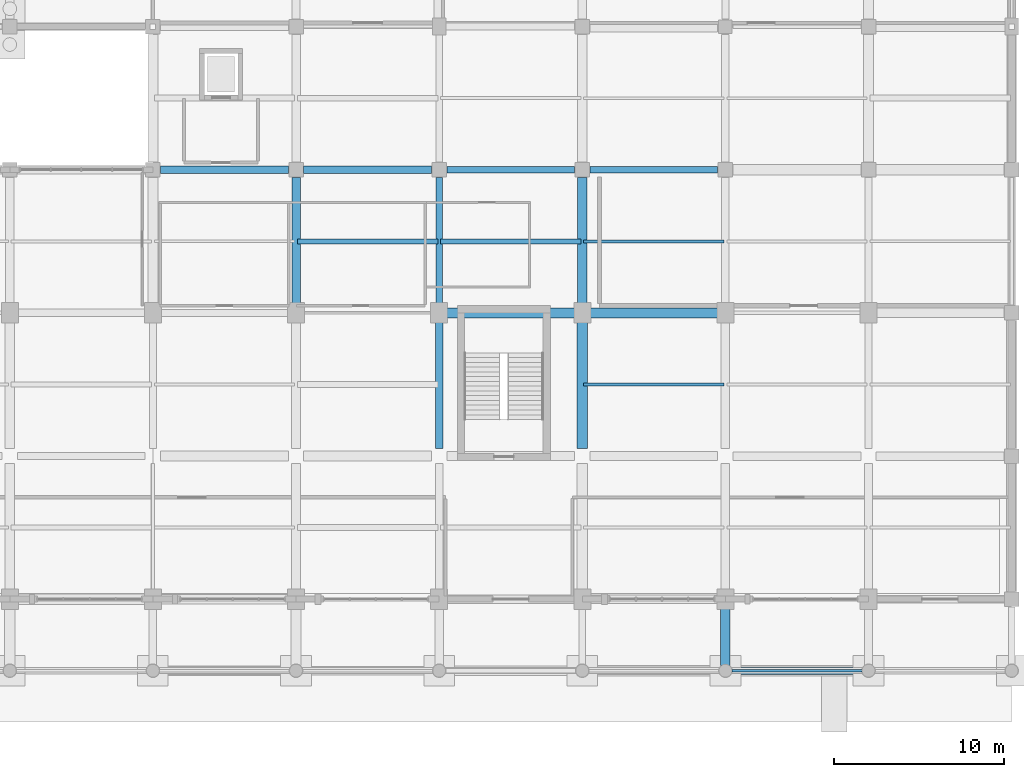
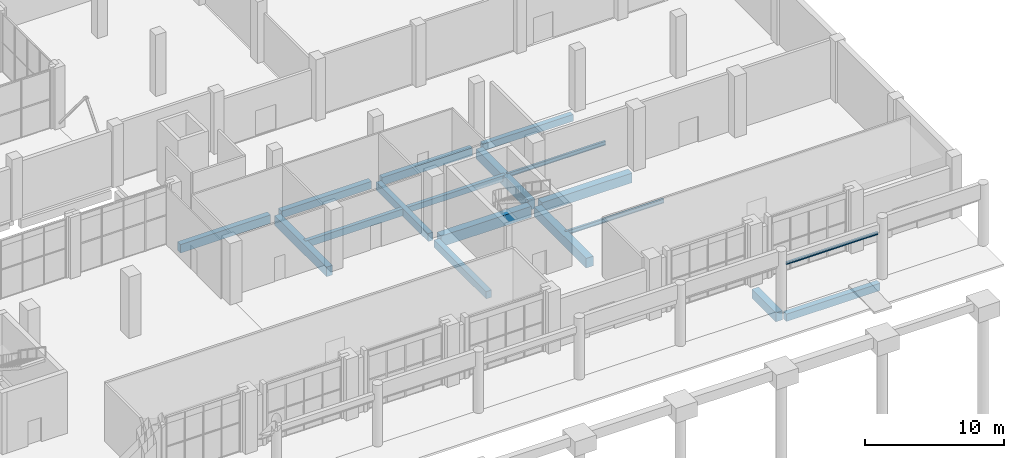
# One storey, part 49 of 82: 18 beams.
"""IFC4 building model written with IfcOpenShell, lengths in metres."""

from ifc_helpers import new_model, si_unit, derived_unit, direction, frame, origin, origin_2d, place, context, subcontext, project, spatial, rectangle, i_section, extrude, material, material_profile, profile_set, type_object, element, save


model = new_model("IFC4")

# Units and contexts
model_context = context("Model", 3, precision=1e-05, world=origin(), true_north=direction((0.0, 1.0)))
body_context = subcontext(model_context, "Body", "Model", "MODEL_VIEW")
ifc_project = project(units=[si_unit("LENGTHUNIT", "METRE"), si_unit("AREAUNIT", "SQUARE_METRE"), si_unit("VOLUMEUNIT", "CUBIC_METRE"), si_unit("PLANEANGLEUNIT", "RADIAN"), si_unit("MASSUNIT", "GRAM", prefix="KILO"), derived_unit("THERMALTRANSMITTANCEUNIT", [(si_unit("POWERUNIT", "WATT"), 1), (si_unit("LENGTHUNIT", "METRE"), -2), (si_unit("THERMODYNAMICTEMPERATUREUNIT", "KELVIN"), -1)])], contexts=[model_context])

# Site, building, storey
site_placement = place(None, origin())
site = spatial("IfcSite", under=ifc_project, at=site_placement, CompositionType="ELEMENT")
building_placement = place(site_placement, origin())
building = spatial("IfcBuilding", under=site, at=building_placement, Name="Barrovel Congress Hotel", CompositionType="ELEMENT")
storey_placement = place(building_placement, origin())
storey = spatial("IfcBuildingStorey", under=building, at=storey_placement, Name="L00", CompositionType="ELEMENT", Elevation=0.0)

# Beams
ifc_material_1 = material(Name="Concrete C40", Category="concrete")
ifc_material_profile_1 = material_profile(ifc_material_1, rectangle(XDim=0.300048828125, YDim=0.5, at=origin_2d()), Name="RC300x500")
ifc_profile_set_1 = profile_set([ifc_material_profile_1], Name="Concrete C40")
beam_type_1 = type_object("IfcBeamType", Name="BM-RC300x500", PredefinedType="JOIST", material=ifc_profile_set_1)
beam_1_placement = place(storey_placement, frame((142.8798828125, 25.199951171875, -0.570068359375), z_axis=(1.0, 0.0, 0.0), x_axis=(0.0, 1.0, 0.0)))
element("IfcBeam", 1, at=beam_1_placement, inside=storey, type_object=beam_type_1, Name="JST:L00:142.8:25.2", PredefinedType="JOIST", context=body_context, shape_type="SweptSolid", body=[
    extrude(rectangle(XDim=0.300048828125, YDim=0.5, at=origin_2d()), origin(), (0.0, 0.0, 1.0), 8.240234375),
])
ifc_material_profile_2 = material_profile(ifc_material_1, rectangle(XDim=0.300048828125, YDim=0.60009765625, at=origin_2d()), Name="RC300x600")
ifc_profile_set_2 = profile_set([ifc_material_profile_2], Name="Concrete C40")
beam_type_2 = type_object("IfcBeamType", Name="BM-RC300x600", PredefinedType="JOIST", material=ifc_profile_set_2)
beam_2_placement = place(storey_placement, frame((134.47998046875, 25.199951171875, -0.6201171875), z_axis=(1.0, 0.0, 0.0), x_axis=(0.0, 1.0, 0.0)))
element("IfcBeam", 2, at=beam_2_placement, inside=storey, type_object=beam_type_2, Name="JST:L00:134.4:25.2", PredefinedType="JOIST", context=body_context, shape_type="SweptSolid", body=[
    extrude(rectangle(XDim=0.300048828125, YDim=0.60009765625, at=origin_2d()), origin(), (0.0, 0.0, 1.0), 8.239990234375),
])
ifc_material_profile_3 = material_profile(ifc_material_1, rectangle(XDim=0.39990234375, YDim=0.60009765625, at=origin_2d()), Name="RC400x600")
ifc_profile_set_3 = profile_set([ifc_material_profile_3], Name="Concrete C40")
beam_type_3 = type_object("IfcBeamType", Name="BM-RC400x600", PredefinedType="BEAM", material=ifc_profile_set_3)
beam_3_placement = place(storey_placement, frame((151.64990234375, 29.39990234375, -0.6201171875), z_axis=(1.0, 0.0, 0.0), x_axis=(0.0, 1.0, 0.0)))
element("IfcBeam", 3, at=beam_3_placement, inside=storey, type_object=beam_type_3, Name="BMX:L00:29.4:151.2-159.6", PredefinedType="BEAM", context=body_context, shape_type="SweptSolid", body=[
    extrude(rectangle(XDim=0.39990234375, YDim=0.60009765625, at=origin_2d()), origin(), (0.0, 0.0, 1.0), 7.5),
])
ifc_material_profile_4 = material_profile(ifc_material_1, rectangle(XDim=0.39990234375, YDim=0.699951171875, at=origin_2d()), Name="RC400x700")
ifc_profile_set_4 = profile_set([ifc_material_profile_4], Name="Concrete C40")
beam_type_4 = type_object("IfcBeamType", Name="BM-RC400x700", PredefinedType="BEAM", material=ifc_profile_set_4)
for number, where, z_axis, x_axis, name in (
    (4, (143.25, 29.39990234375, -0.669921875), (1.0, 0.0, 0.0), (0.0, 1.0, 0.0), "BMX:L00:29.4:142.8-151.2"),
    (5, (142.800048828125, 21.449951171875, -0.669921875), (0.0, 1.0, 0.0), (-1.0, 0.0, 0.0), "BMY:L00:142.8:21.0-29.4"),
):
    element("IfcBeam", number, at=place(storey_placement, frame(where, z_axis=z_axis, x_axis=x_axis)), inside=storey, type_object=beam_type_4, Name=name, PredefinedType="BEAM", context=body_context, shape_type="SweptSolid", body=[
        extrude(rectangle(XDim=0.39990234375, YDim=0.699951171875, at=origin_2d()), origin(), (0.0, 0.0, 1.0), 7.5),
    ])
ifc_material_profile_5 = material_profile(ifc_material_1, rectangle(XDim=0.449951171875, YDim=0.64990234375, at=origin_2d()), Name="RC450x650")
ifc_profile_set_5 = profile_set([ifc_material_profile_5], Name="Concrete C40")
beam_type_5 = type_object("IfcBeamType", Name="BM-RC450x650", PredefinedType="BEAM", material=ifc_profile_set_5)
beam_4_placement = place(storey_placement, frame((159.89990234375, 0.0, -0.64501953125), z_axis=(1.0, 0.0, 0.0), x_axis=(0.0, 1.0, 0.0)))
element("IfcBeam", 6, at=beam_4_placement, inside=storey, type_object=beam_type_5, Name="BMX:L00:0.0:159.6-168.0", PredefinedType="BEAM", context=body_context, shape_type="SweptSolid", body=[
    extrude(rectangle(XDim=0.449951171875, YDim=0.64990234375, at=origin_2d()), origin(), (0.0, 0.0, 1.0), 7.800048828125),
])
for number, where, z_axis, x_axis, name in (
    (7, (134.85009765625, 29.39990234375, -0.64501953125), (1.0, 0.0, 0.0), (0.0, 1.0, 0.0), "BMX:L00:29.4:134.4-142.8"),
    (8, (142.800048828125, 13.050048828125, -0.64501953125), (0.0, 1.0, 0.0), (-1.0, 0.0, 0.0), "BMY:L00:142.8:12.6-21.0"),
):
    element("IfcBeam", number, at=place(storey_placement, frame(where, z_axis=z_axis, x_axis=x_axis)), inside=storey, type_object=beam_type_5, Name=name, PredefinedType="BEAM", context=body_context, shape_type="SweptSolid", body=[
        extrude(rectangle(XDim=0.449951171875, YDim=0.64990234375, at=origin_2d()), origin(), (0.0, 0.0, 1.0), 7.5),
    ])
ifc_material_profile_6 = material_profile(ifc_material_1, rectangle(XDim=0.449951171875, YDim=0.75, at=origin_2d()), Name="RC450x750")
ifc_profile_set_6 = profile_set([ifc_material_profile_6], Name="Concrete C40")
beam_type_6 = type_object("IfcBeamType", Name="BM-RC450x750", PredefinedType="BEAM", material=ifc_profile_set_6)
beam_5_placement = place(storey_placement, frame((126.449951171875, 29.39990234375, -0.695068359375), z_axis=(1.0, 0.0, 0.0), x_axis=(0.0, 1.0, 0.0)))
element("IfcBeam", 9, at=beam_5_placement, inside=storey, type_object=beam_type_6, Name="BMX:L00:29.4:126.0-134.4", PredefinedType="BEAM", context=body_context, shape_type="SweptSolid", body=[
    extrude(rectangle(XDim=0.449951171875, YDim=0.75, at=origin_2d()), origin(), (0.0, 0.0, 1.0), 7.5),
])
ifc_material_profile_7 = material_profile(ifc_material_1, rectangle(XDim=0.5, YDim=0.85009765625, at=origin_2d()), Name="RC500x850")
ifc_profile_set_7 = profile_set([ifc_material_profile_7], Name="Concrete C40")
beam_type_7 = type_object("IfcBeamType", Name="BM-RC500x850", PredefinedType="BEAM", material=ifc_profile_set_7)
beam_6_placement = place(storey_placement, frame((134.39990234375, 21.449951171875, -0.7451171875), z_axis=(0.0, 1.0, 0.0), x_axis=(-1.0, 0.0, 0.0)))
element("IfcBeam", 10, at=beam_6_placement, inside=storey, type_object=beam_type_7, Name="BMY:L00:134.4:21.0-29.4", PredefinedType="BEAM", context=body_context, shape_type="SweptSolid", body=[
    extrude(rectangle(XDim=0.5, YDim=0.85009765625, at=origin_2d()), origin(), (0.0, 0.0, 1.0), 7.5),
])
ifc_material_profile_8 = material_profile(ifc_material_1, rectangle(XDim=0.550048828125, YDim=0.800048828125, at=origin_2d()), Name="RC550x800")
ifc_profile_set_8 = profile_set([ifc_material_profile_8], Name="Concrete C40")
beam_type_8 = type_object("IfcBeamType", Name="BM-RC550x800", PredefinedType="BEAM", material=ifc_profile_set_8)
beam_7_placement = place(storey_placement, frame((159.60009765625, 0.300048828125, -0.719970703125), z_axis=(0.0, 1.0, 0.0), x_axis=(-1.0, 0.0, 0.0)))
element("IfcBeam", 11, at=beam_7_placement, inside=storey, type_object=beam_type_8, Name="BMY:L00:159.6:0.0-4.2", PredefinedType="BEAM", context=body_context, shape_type="SweptSolid", body=[
    extrude(rectangle(XDim=0.550048828125, YDim=0.800048828125, at=origin_2d()), origin(), (0.0, 0.0, 1.0), 3.449951171875),
])
ifc_material_profile_9 = material_profile(ifc_material_1, rectangle(XDim=0.550048828125, YDim=0.89990234375, at=origin_2d()), Name="RC550x900")
ifc_profile_set_9 = profile_set([ifc_material_profile_9], Name="Concrete C40")
beam_type_9 = type_object("IfcBeamType", Name="BM-RC550x900", PredefinedType="BEAM", material=ifc_profile_set_9)
beam_8_placement = place(storey_placement, frame((151.199951171875, 21.449951171875, -0.77001953125), z_axis=(0.0, 1.0, 0.0), x_axis=(-1.0, 0.0, 0.0)))
element("IfcBeam", 12, at=beam_8_placement, inside=storey, type_object=beam_type_9, Name="BMY:L00:151.2:21.0-29.4", PredefinedType="BEAM", context=body_context, shape_type="SweptSolid", body=[
    extrude(rectangle(XDim=0.550048828125, YDim=0.89990234375, at=origin_2d()), origin(), (0.0, 0.0, 1.0), 7.5),
])
ifc_material_profile_10 = material_profile(ifc_material_1, rectangle(XDim=0.60009765625, YDim=0.85009765625, at=origin_2d()), Name="RC600x850")
ifc_profile_set_10 = profile_set([ifc_material_profile_10], Name="Concrete C40")
beam_type_10 = type_object("IfcBeamType", Name="BM-RC600x850", PredefinedType="BEAM", material=ifc_profile_set_10)
for number, where, z_axis, x_axis, name in (
    (13, (151.64990234375, 21.0, -0.7451171875), (1.0, 0.0, 0.0), (0.0, 1.0, 0.0), "BMX:L00:21.0:151.2-159.6"),
    (14, (151.199951171875, 13.050048828125, -0.7451171875), (0.0, 1.0, 0.0), (-1.0, 0.0, 0.0), "BMY:L00:151.2:12.6-21.0"),
):
    element("IfcBeam", number, at=place(storey_placement, frame(where, z_axis=z_axis, x_axis=x_axis)), inside=storey, type_object=beam_type_10, Name=name, PredefinedType="BEAM", context=body_context, shape_type="SweptSolid", body=[
        extrude(rectangle(XDim=0.60009765625, YDim=0.85009765625, at=origin_2d()), origin(), (0.0, 0.0, 1.0), 7.5),
    ])
ifc_material_profile_11 = material_profile(ifc_material_1, rectangle(XDim=0.60009765625, YDim=0.949951171875, at=origin_2d()), Name="RC600x950")
ifc_profile_set_11 = profile_set([ifc_material_profile_11], Name="Concrete C40")
beam_type_11 = type_object("IfcBeamType", Name="BM-RC600x950", PredefinedType="BEAM", material=ifc_profile_set_11)
beam_9_placement = place(storey_placement, frame((143.25, 21.0, -0.794921875), z_axis=(1.0, 0.0, 0.0), x_axis=(0.0, 1.0, 0.0)))
element("IfcBeam", 15, at=beam_9_placement, inside=storey, type_object=beam_type_11, Name="BMX:L00:21.0:142.8-151.2", PredefinedType="BEAM", context=body_context, shape_type="SweptSolid", body=[
    extrude(rectangle(XDim=0.60009765625, YDim=0.949951171875, at=origin_2d()), origin(), (0.0, 0.0, 1.0), 7.5),
])
ifc_material_2 = material(Name="Steel ASTM A992 Grade 50", Category="steel")
ifc_material_profile_12 = material_profile(ifc_material_2, i_section(OverallWidth=0.166015625, OverallDepth=0.205078125, WebThickness=0.007080078125, FlangeThickness=0.01171875, FilletRadius=0.010009765625, at=origin_2d()), Name="W200x42")
ifc_profile_set_12 = profile_set([ifc_material_profile_12], Name="Steel ASTM A992 Grade 50")
beam_type_12 = type_object("IfcBeamType", Name="SBM-W200x42", PredefinedType="LINTEL", material=ifc_profile_set_12)
beam_10_placement = place(storey_placement, frame((159.97509765625, 0.0, 3.99755859375), z_axis=(1.0, 0.0, 0.0), x_axis=(0.0, 1.0, 0.0)))
element("IfcBeam", 16, at=beam_10_placement, inside=storey, type_object=beam_type_12, Name="LIN:L00:159.6-168.0", PredefinedType="LINTEL", context=body_context, shape_type="SweptSolid", body=[
    extrude(i_section(OverallWidth=0.166015625, OverallDepth=0.205078125, WebThickness=0.007080078125, FlangeThickness=0.01171875, FilletRadius=0.010009765625, at=origin_2d()), origin(), (0.0, 0.0, 1.0), 7.64990234375),
])
ifc_material_profile_13 = material_profile(ifc_material_2, i_section(OverallWidth=0.1708984375, OverallDepth=0.35205078125, WebThickness=0.0068359375, FlangeThickness=0.009765625, FilletRadius=0.011962890625, at=origin_2d()), Name="W360x44")
ifc_profile_set_13 = profile_set([ifc_material_profile_13], Name="Steel ASTM A992 Grade 50")
beam_type_13 = type_object("IfcBeamType", Name="SBM-W360x44", PredefinedType="JOIST", material=ifc_profile_set_13)
beam_11_placement = place(storey_placement, frame((151.280029296875, 25.199951171875, -0.49609375), z_axis=(1.0, 0.0, 0.0), x_axis=(0.0, 1.0, 0.0)))
element("IfcBeam", 17, at=beam_11_placement, inside=storey, type_object=beam_type_13, Name="JST:L00:151.2:25.2", PredefinedType="JOIST", context=body_context, shape_type="SweptSolid", body=[
    extrude(i_section(OverallWidth=0.1708984375, OverallDepth=0.35205078125, WebThickness=0.0068359375, FlangeThickness=0.009765625, FilletRadius=0.011962890625, at=origin_2d()), origin(), (0.0, 0.0, 1.0), 8.239990234375),
])
ifc_material_profile_14 = material_profile(ifc_material_2, i_section(OverallWidth=0.172119140625, OverallDepth=0.35791015625, WebThickness=0.0078125, FlangeThickness=0.01318359375, FilletRadius=0.011962890625, at=origin_2d()), Name="W360x57")
ifc_profile_set_14 = profile_set([ifc_material_profile_14], Name="Steel ASTM A992 Grade 50")
beam_type_14 = type_object("IfcBeamType", Name="SBM-W360x57", PredefinedType="JOIST", material=ifc_profile_set_14)
beam_12_placement = place(storey_placement, frame((151.280029296875, 16.800048828125, -0.4990234375), z_axis=(1.0, 0.0, 0.0), x_axis=(0.0, 1.0, 0.0)))
element("IfcBeam", 18, at=beam_12_placement, inside=storey, type_object=beam_type_14, Name="JST:L00:151.2:16.8", PredefinedType="JOIST", context=body_context, shape_type="SweptSolid", body=[
    extrude(i_section(OverallWidth=0.172119140625, OverallDepth=0.35791015625, WebThickness=0.0078125, FlangeThickness=0.01318359375, FilletRadius=0.011962890625, at=origin_2d()), origin(), (0.0, 0.0, 1.0), 8.239990234375),
])

save(model, "model.ifc")
